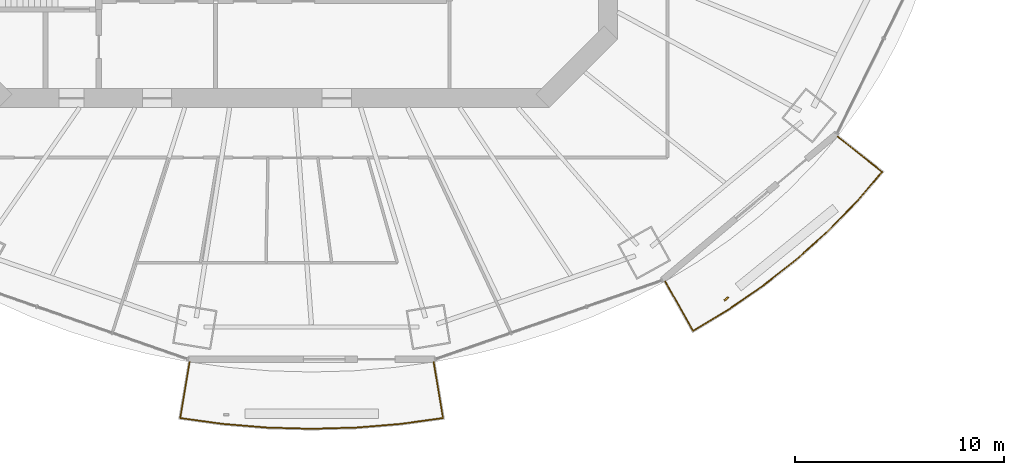
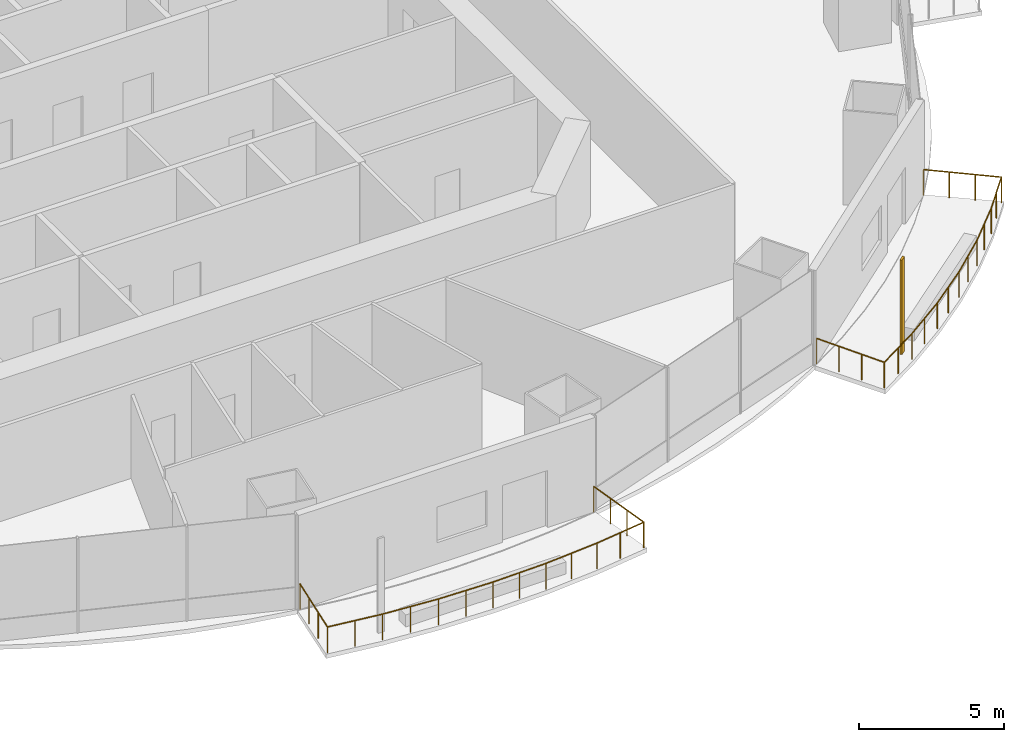
# One storey, part 15 of 19: 2 railings, 1 shading device.
"""IFC4 building model written with IfcOpenShell, lengths in metres."""

from ifc_helpers import new_model, si_unit, direction, frame, origin, origin_2d, place, context, subcontext, project, spatial, rectangle, circle, extrude, material, material_profile, profile_set, type_object, element, save


model = new_model("IFC4")

# Units and contexts
model_context = context("Model", 3, precision=1e-05, world=origin(), true_north=direction((0.0, 1.0)))
body_context = subcontext(model_context, "Body", "Model", "MODEL_VIEW")
ifc_project = project(units=[si_unit("LENGTHUNIT", "METRE"), si_unit("AREAUNIT", "SQUARE_METRE"), si_unit("VOLUMEUNIT", "CUBIC_METRE"), si_unit("PLANEANGLEUNIT", "RADIAN"), si_unit("MASSUNIT", "GRAM", prefix="KILO")], contexts=[model_context])

# Site, building, storey
site_placement = place(None, origin())
site = spatial("IfcSite", under=ifc_project, at=site_placement, CompositionType="ELEMENT")
building_placement = place(site_placement, origin())
building = spatial("IfcBuilding", under=site, at=building_placement, Name="Marenthal Gate Tower", CompositionType="ELEMENT")
storey_placement = place(building_placement, frame((0.0, 0.0, 244.050048828125)))
storey = spatial("IfcBuildingStorey", under=building, at=storey_placement, Name="L54", CompositionType="ELEMENT", Elevation=244.050048828125)

# Railings
ifc_material_1 = material(Name="Stainless steel", Category="steel")
railing_type = type_object("IfcRailingType", Name="Balcony guard 1100", PredefinedType="GUARDRAIL", material=ifc_material_1)
railing_1_placement = place(storey_placement, frame((7.64501953125, -25.641845703125, 0.0)))
element("IfcRailing", 1, at=railing_1_placement, inside=storey, type_object=railing_type, Name="Balcony guard L54 bay 12", PredefinedType="GUARDRAIL", context=body_context, shape_type="SweptSolid", body=[
    extrude(circle(Radius=0.02392578125, at=origin_2d()), frame((0.0, 0.0, 1.076171875), z_axis=(0.164948720809, -0.986192324793, -0.014717948973), x_axis=(0.986299155665, 0.164966589145, 0.0)), (0.0, 0.0, 1.0), 2.720458984375),
    extrude(circle(Radius=0.02392578125, at=origin_2d()), frame((0.44873046875, -2.682861328125, 1.0361328125), z_axis=(-0.990660551033, -0.13635128392, 0.0), x_axis=(0.13635128392, -0.990660551033, 0.0)), (0.0, 0.0, 1.0), 2.050048828125),
    extrude(circle(Radius=0.02392578125, at=origin_2d()), frame((-1.582275390625, -2.96240234375, 1.0361328125), z_axis=(-0.996592931449, -0.082477445314, 0.0), x_axis=(0.082477445314, -0.996592931449, 0.0)), (0.0, 0.0, 1.0), 2.13427734375),
    extrude(circle(Radius=0.02392578125, at=origin_2d()), frame((-3.709228515625, -3.138427734375, 1.0361328125), z_axis=(-0.999620737923, -0.027538705743, 0.0), x_axis=(0.027538705743, -0.999620737923, 0.0)), (0.0, 0.0, 1.0), 2.136474609375),
    extrude(circle(Radius=0.02392578125, at=origin_2d()), frame((-5.844970703125, -3.197265625, 1.0361328125), z_axis=(-0.999620737923, 0.027538705743, 0.0), x_axis=(-0.027538705743, -0.999620737923, 0.0)), (0.0, 0.0, 1.0), 2.136474609375),
    extrude(circle(Radius=0.02392578125, at=origin_2d()), frame((-7.980712890625, -3.138427734375, 1.0361328125), z_axis=(-0.996593709479, 0.082468043674, 0.0), x_axis=(-0.082468043674, -0.996593709479, 0.0)), (0.0, 0.0, 1.0), 2.134521484375),
    extrude(circle(Radius=0.02392578125, at=origin_2d()), frame((-10.10791015625, -2.96240234375, 1.0361328125), z_axis=(-0.990660551033, 0.13635128392, 0.0), x_axis=(-0.13635128392, -0.990660551033, 0.0)), (0.0, 0.0, 1.0), 2.050048828125),
    extrude(circle(Radius=0.02392578125, at=origin_2d()), frame((-12.138916015625, -2.682861328125, 1.0361328125), z_axis=(0.165036020711, 0.986177722452, 0.014717731048), x_axis=(-0.986284548578, 0.165053897974, 0.0)), (0.0, 0.0, 1.0), 2.720458984375),
    extrude(circle(Radius=0.02099609375, at=origin_2d()), origin(), (0.0, 0.0, 1.0), 1.052001953125),
    extrude(circle(Radius=0.02099609375, at=origin_2d()), frame((0.149658203125, -0.894287109375, -0.013427734375)), (0.0, 0.0, 1.0), 1.052001953125),
    extrude(circle(Radius=0.02099609375, at=origin_2d()), frame((0.299072265625, -1.78857421875, -0.026611328125)), (0.0, 0.0, 1.0), 1.052001953125),
    extrude(circle(Radius=0.02099609375, at=origin_2d()), frame((0.44873046875, -2.682861328125, -0.0400390625)), (0.0, 0.0, 1.0), 1.052001953125),
    extrude(circle(Radius=0.02099609375, at=origin_2d()), frame((-0.56689453125, -2.82275390625, -0.0400390625)), (0.0, 0.0, 1.0), 1.052001953125),
    extrude(circle(Radius=0.02099609375, at=origin_2d()), frame((-1.582275390625, -2.96240234375, -0.0400390625)), (0.0, 0.0, 1.0), 1.052001953125),
    extrude(circle(Radius=0.02099609375, at=origin_2d()), frame((-2.645751953125, -3.05029296875, -0.0400390625)), (0.0, 0.0, 1.0), 1.052001953125),
    extrude(circle(Radius=0.02099609375, at=origin_2d()), frame((-3.709228515625, -3.138427734375, -0.0400390625)), (0.0, 0.0, 1.0), 1.052001953125),
    extrude(circle(Radius=0.02099609375, at=origin_2d()), frame((-4.777099609375, -3.16796875, -0.0400390625)), (0.0, 0.0, 1.0), 1.052001953125),
    extrude(circle(Radius=0.02099609375, at=origin_2d()), frame((-5.844970703125, -3.197265625, -0.0400390625)), (0.0, 0.0, 1.0), 1.052001953125),
    extrude(circle(Radius=0.02099609375, at=origin_2d()), frame((-6.912841796875, -3.16796875, -0.0400390625)), (0.0, 0.0, 1.0), 1.052001953125),
    extrude(circle(Radius=0.02099609375, at=origin_2d()), frame((-7.980712890625, -3.138427734375, -0.0400390625)), (0.0, 0.0, 1.0), 1.052001953125),
    extrude(circle(Radius=0.02099609375, at=origin_2d()), frame((-9.04443359375, -3.05029296875, -0.0400390625)), (0.0, 0.0, 1.0), 1.052001953125),
    extrude(circle(Radius=0.02099609375, at=origin_2d()), frame((-10.10791015625, -2.96240234375, -0.0400390625)), (0.0, 0.0, 1.0), 1.052001953125),
    extrude(circle(Radius=0.02099609375, at=origin_2d()), frame((-11.12353515625, -2.82275390625, -0.0400390625)), (0.0, 0.0, 1.0), 1.052001953125),
    extrude(circle(Radius=0.02099609375, at=origin_2d()), frame((-12.138916015625, -2.682861328125, -0.0400390625)), (0.0, 0.0, 1.0), 1.052001953125),
    extrude(circle(Radius=0.02099609375, at=origin_2d()), frame((-11.9892578125, -1.78857421875, -0.026611328125)), (0.0, 0.0, 1.0), 1.052001953125),
    extrude(circle(Radius=0.02099609375, at=origin_2d()), frame((-11.839599609375, -0.894287109375, -0.013427734375)), (0.0, 0.0, 1.0), 1.052001953125),
    extrude(circle(Radius=0.02099609375, at=origin_2d()), frame((-11.68994140625, 0.0, 0.0)), (0.0, 0.0, 1.0), 1.052001953125),
])
railing_2_placement = place(storey_placement, frame((26.997802734375, -14.84033203125, 0.0)))
element("IfcRailing", 2, at=railing_2_placement, inside=storey, type_object=railing_type, Name="Balcony guard L54 bay 14", PredefinedType="GUARDRAIL", context=body_context, shape_type="SweptSolid", body=[
    extrude(circle(Radius=0.02392578125, at=origin_2d()), frame((0.0, 0.0, 1.076171875), z_axis=(0.782977160261, -0.621876288795, -0.014718965415), x_axis=(0.621943663853, 0.783061989241, 0.0)), (0.0, 0.0, 1.0), 2.72021484375),
    extrude(circle(Radius=0.02392578125, at=origin_2d()), frame((2.1298828125, -1.691650390625, 1.0361328125), z_axis=(-0.649918406787, -0.760003989805, 0.0), x_axis=(0.760003989805, -0.649918406787, 0.0)), (0.0, 0.0, 1.0), 1.889404296875),
    extrude(circle(Radius=0.02392578125, at=origin_2d()), frame((0.90185546875, -3.127685546875, 1.0361328125), z_axis=(-0.698634154887, -0.715479082591, 0.0), x_axis=(0.715479082591, -0.698634154887, 0.0)), (0.0, 0.0, 1.0), 1.985595703125),
    extrude(circle(Radius=0.02392578125, at=origin_2d()), frame((-0.4853515625, -4.54833984375, 1.0361328125), z_axis=(-0.74417856937, -0.667980730927, 0.0), x_axis=(0.667980730927, -0.74417856937, 0.0)), (0.0, 0.0, 1.0), 2.00244140625),
    extrude(circle(Radius=0.02392578125, at=origin_2d()), frame((-1.9755859375, -5.885986328125, 1.0361328125), z_axis=(-0.785764137511, -0.618526248595, 0.0), x_axis=(0.618526248595, -0.785764137511, 0.0)), (0.0, 0.0, 1.0), 2.01904296875),
    extrude(circle(Radius=0.02392578125, at=origin_2d()), frame((-3.56201171875, -7.134765625, 1.0361328125), z_axis=(-0.823201188943, -0.567749771046, 0.0), x_axis=(0.567749771046, -0.823201188943, 0.0)), (0.0, 0.0, 1.0), 2.03564453125),
    extrude(circle(Radius=0.02392578125, at=origin_2d()), frame((-5.23779296875, -8.29052734375, 1.0361328125), z_axis=(-0.855948649987, -0.517060836445, 0.0), x_axis=(0.517060836445, -0.855948649987, 0.0)), (0.0, 0.0, 1.0), 1.9716796875),
    extrude(circle(Radius=0.02392578125, at=origin_2d()), frame((-6.925537109375, -9.31005859375, 1.0361328125), z_axis=(-0.489828869087, 0.871694357905, 0.014718199804), x_axis=(-0.871788788819, -0.489881932397, 0.0)), (0.0, 0.0, 1.0), 2.720458984375),
    extrude(circle(Radius=0.02099609375, at=origin_2d()), origin(), (0.0, 0.0, 1.0), 1.052001953125),
    extrude(circle(Radius=0.02099609375, at=origin_2d()), frame((0.7099609375, -0.56396484375, -0.013427734375)), (0.0, 0.0, 1.0), 1.052001953125),
    extrude(circle(Radius=0.02099609375, at=origin_2d()), frame((1.419921875, -1.127685546875, -0.026611328125)), (0.0, 0.0, 1.0), 1.052001953125),
    extrude(circle(Radius=0.02099609375, at=origin_2d()), frame((2.1298828125, -1.691650390625, -0.0400390625)), (0.0, 0.0, 1.0), 1.052001953125),
    extrude(circle(Radius=0.02099609375, at=origin_2d()), frame((1.515869140625, -2.40966796875, -0.0400390625)), (0.0, 0.0, 1.0), 1.052001953125),
    extrude(circle(Radius=0.02099609375, at=origin_2d()), frame((0.90185546875, -3.127685546875, -0.0400390625)), (0.0, 0.0, 1.0), 1.052001953125),
    extrude(circle(Radius=0.02099609375, at=origin_2d()), frame((0.208251953125, -3.837890625, -0.0400390625)), (0.0, 0.0, 1.0), 1.052001953125),
    extrude(circle(Radius=0.02099609375, at=origin_2d()), frame((-0.4853515625, -4.54833984375, -0.0400390625)), (0.0, 0.0, 1.0), 1.052001953125),
    extrude(circle(Radius=0.02099609375, at=origin_2d()), frame((-1.23046875, -5.21728515625, -0.0400390625)), (0.0, 0.0, 1.0), 1.052001953125),
    extrude(circle(Radius=0.02099609375, at=origin_2d()), frame((-1.9755859375, -5.885986328125, -0.0400390625)), (0.0, 0.0, 1.0), 1.052001953125),
    extrude(circle(Radius=0.02099609375, at=origin_2d()), frame((-2.768798828125, -6.51025390625, -0.0400390625)), (0.0, 0.0, 1.0), 1.052001953125),
    extrude(circle(Radius=0.02099609375, at=origin_2d()), frame((-3.56201171875, -7.134765625, -0.0400390625)), (0.0, 0.0, 1.0), 1.052001953125),
    extrude(circle(Radius=0.02099609375, at=origin_2d()), frame((-4.39990234375, -7.712646484375, -0.0400390625)), (0.0, 0.0, 1.0), 1.052001953125),
    extrude(circle(Radius=0.02099609375, at=origin_2d()), frame((-5.23779296875, -8.29052734375, -0.0400390625)), (0.0, 0.0, 1.0), 1.052001953125),
    extrude(circle(Radius=0.02099609375, at=origin_2d()), frame((-6.08154296875, -8.80029296875, -0.0400390625)), (0.0, 0.0, 1.0), 1.052001953125),
    extrude(circle(Radius=0.02099609375, at=origin_2d()), frame((-6.925537109375, -9.31005859375, -0.0400390625)), (0.0, 0.0, 1.0), 1.052001953125),
    extrude(circle(Radius=0.02099609375, at=origin_2d()), frame((-7.36962890625, -8.51953125, -0.026611328125)), (0.0, 0.0, 1.0), 1.052001953125),
    extrude(circle(Radius=0.02099609375, at=origin_2d()), frame((-7.81396484375, -7.729248046875, -0.013427734375)), (0.0, 0.0, 1.0), 1.052001953125),
    extrude(circle(Radius=0.02099609375, at=origin_2d()), frame((-8.258056640625, -6.938720703125, 0.0)), (0.0, 0.0, 1.0), 1.052001953125),
])

# Shading device
ifc_material_2 = material(Name="Terracotta", Category="masonry")
ifc_material_profile = material_profile(ifc_material_2, rectangle(XDim=0.25, YDim=0.080078125, at=origin_2d()), Name="Terracotta baguette 250x80")
ifc_profile_set = profile_set([ifc_material_profile], Name="Terracotta")
shading_device_type = type_object("IfcShadingDeviceType", Name="Terracotta BAGUETTE SCREEN 250x80", PredefinedType="USERDEFINED", material=ifc_profile_set)
shading_device_placement = place(storey_placement, frame((21.669189453125, -22.619140625, -0.0400390625), z_axis=(0.0, 0.0, 1.0), x_axis=(0.765469470301, 0.643472213881, 0.0)))
element("IfcShadingDevice", 3, at=shading_device_placement, inside=storey, type_object=shading_device_type, Name="Terracotta BAGUETTE L54 bay 14L", ObjectType="BAGUETTE SCREEN", PredefinedType="USERDEFINED", context=body_context, shape_type="SweptSolid", body=[
    extrude(rectangle(XDim=0.25, YDim=0.080078125, at=origin_2d()), origin(), (0.0, 0.0, 1.0), 3.969970703125),
])

save(model, "model.ifc")
